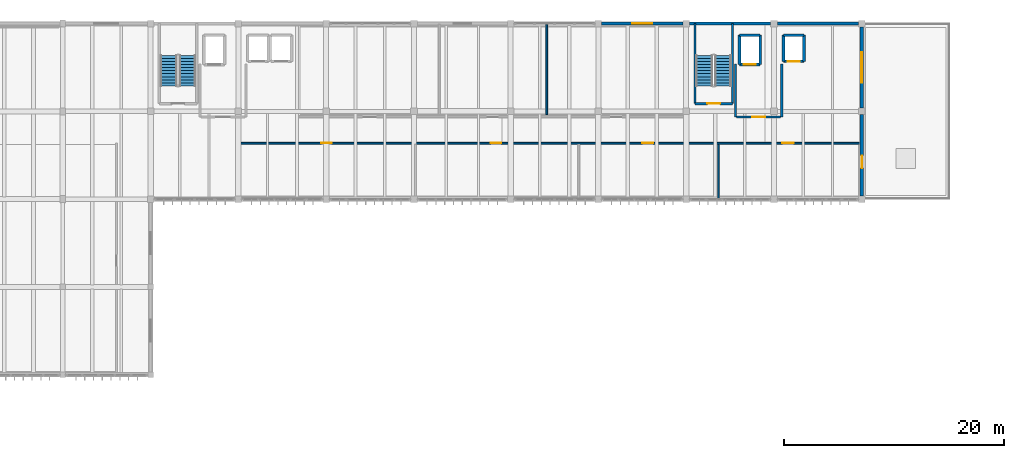
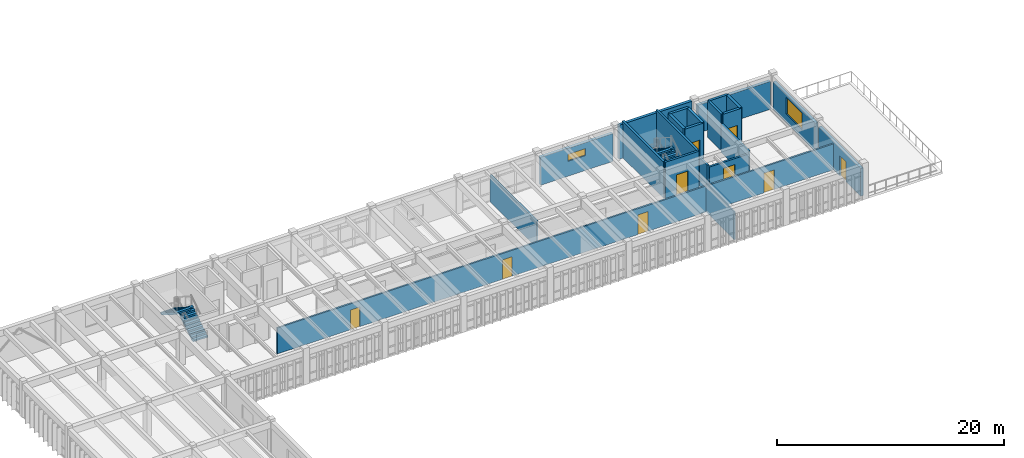
# One storey, part 17 of 22: 22 walls, 9 doors, 4 stair flights, 2 windows, 11 openings, 2 elements without a shape of their own.
"""IFC4 building model written with IfcOpenShell, lengths in metres."""

from ifc_helpers import new_model, si_unit, direction, frame, frame_2d, origin, place, context, subcontext, project, spatial, polyline, rectangle, outline, extrude, material, layer, layer_set, type_object, element, fill, aggregate, save


model = new_model("IFC4")

# Units and contexts
model_context = context("Model", 3, precision=1e-05, world=origin(), true_north=direction((0.0, 1.0)))
body_context = subcontext(model_context, "Body", "Model", "MODEL_VIEW")
ifc_project = project(units=[si_unit("LENGTHUNIT", "METRE"), si_unit("AREAUNIT", "SQUARE_METRE"), si_unit("VOLUMEUNIT", "CUBIC_METRE"), si_unit("PLANEANGLEUNIT", "RADIAN"), si_unit("MASSUNIT", "GRAM", prefix="KILO")], contexts=[model_context])

# Site, building, storey
site_placement = place(None, origin())
site = spatial("IfcSite", under=ifc_project, at=site_placement, CompositionType="ELEMENT")
building_placement = place(site_placement, origin())
building = spatial("IfcBuilding", under=site, at=building_placement, Name="Tlaxcora Railside Police Headquarters", CompositionType="ELEMENT")
storey_placement = place(building_placement, frame((0.0, 0.0, 21.89990234375)))
storey = spatial("IfcBuildingStorey", under=building, at=storey_placement, Name="L05", CompositionType="ELEMENT", Elevation=21.89990234375)

# Wall, opening, door
ifc_material_1 = material(Name="Pressed clay brick masonry", Category="masonry")
ifc_layer_1 = layer(ifc_material_1, 0.199951171875, Name="Pressed clay brick masonry")
ifc_layer_set_1 = layer_set([ifc_layer_1], Name="Pressed clay brick masonry")
wall_type_1 = type_object("IfcWallType", Name="Interior Partition Wall IW-60", PredefinedType="PARTITIONING", material=ifc_layer_set_1)
wall_1_placement = place(storey_placement, frame((74.60009765625, 84.300048828125, 0.0), z_axis=(0.0, 0.0, 1.0), x_axis=(1.0, 0.0, 0.0)))
wall_1 = element("IfcWall", 1, at=wall_1_placement, inside=storey, type_object=wall_type_1, Name="V5 L05 interior partition 224", PredefinedType="PARTITIONING", context=body_context, shape_type="SweptSolid", body=[
    extrude(rectangle(XDim=4.0, YDim=0.199951171875, at=frame_2d((2.0, 0.0))), origin(), (0.0, 0.0, 1.0), 2.78515625),
])
opening_1_placement = place(wall_1_placement, frame((1.39990234375, 0.0, 0.0)))
opening_1 = element("IfcOpeningElement", 2, at=opening_1_placement, cuts=wall_1, Name="Opening D-L05-246", PredefinedType="OPENING", context=body_context, shape_type="SweptSolid", body=[
    extrude(rectangle(XDim=1.199951171875, YDim=2.14990234375, at=frame_2d((0.60009765625, 1.074951171875))), frame((0.0, 0.10986328125, 0.0), z_axis=(0.0, -1.0, 0.0), x_axis=(1.0, 0.0, 0.0)), (0.0, 0.0, 1.0), 0.219970703125),
])
ifc_material_2 = material(Name="Steel ASTM A992 Grade 50", Category="steel")
door_type_1 = type_object("IfcDoorType", Name="Swing or Sliding Personnel Door ID-14", OperationType="NOTDEFINED", PredefinedType="DOOR", material=ifc_material_2)
door_1_placement = place(opening_1_placement, origin())
door_1 = element("IfcDoor", 3, at=door_1_placement, inside=storey, type_object=door_type_1, Name="V5 L05 door D-L05-246", OperationType="DOUBLE_DOOR_SINGLE_SWING", OverallHeight=2.14990234375, OverallWidth=1.199951171875, PredefinedType="DOOR", context=body_context, shape_type="SweptSolid", body=[
    extrude(rectangle(XDim=1.199951171875, YDim=2.14990234375, at=frame_2d((0.60009765625, 1.074951171875))), frame((0.0, 0.02490234375, 0.0), z_axis=(0.0, -1.0, 0.0), x_axis=(1.0, 0.0, 0.0)), (0.0, 0.0, 1.0), 0.050048828125),
])
fill(opening_1, door_1)

# Walls
wall_2_placement = place(storey_placement, frame((74.5, 84.300048828125, 0.0), z_axis=(0.0, 0.0, 1.0), x_axis=(0.0, 1.0, 0.0)))
element("IfcWall", 4, at=wall_2_placement, inside=storey, type_object=wall_type_1, Name="V5 L05 interior partition 225", PredefinedType="PARTITIONING", context=body_context, shape_type="SweptSolid", body=[
    extrude(rectangle(XDim=4.800048828125, YDim=0.199951171875, at=frame_2d((2.39990234375, 0.0))), origin(), (0.0, 0.0, 1.0), 2.985107421875),
])
wall_3_placement = place(storey_placement, frame((78.699951171875, 84.300048828125, 0.0), z_axis=(0.0, 0.0, 1.0), x_axis=(0.0, 1.0, 0.0)))
element("IfcWall", 5, at=wall_3_placement, inside=storey, type_object=wall_type_1, Name="V5 L05 interior partition 226", PredefinedType="PARTITIONING", context=body_context, shape_type="SweptSolid", body=[
    extrude(rectangle(XDim=4.800048828125, YDim=0.199951171875, at=frame_2d((2.39990234375, 0.0))), origin(), (0.0, 0.0, 1.0), 3.03515625),
])

# Wall, openings, doors
ifc_material_3 = material(Name="Gypsum acoustic partition board")
ifc_layer_2 = layer(ifc_material_3, 0.159912109375, Name="Gypsum acoustic partition board")
ifc_layer_set_2 = layer_set([ifc_layer_2], Name="Gypsum acoustic partition board")
wall_type_2 = type_object("IfcWallType", Name="Interior Partition Wall IW-73", PredefinedType="PARTITIONING", material=ifc_layer_set_2)
wall_4_placement = place(storey_placement, frame((29.300048828125, 81.89990234375, 0.0), z_axis=(0.0, 0.0, 1.0), x_axis=(1.0, 0.0, 0.0)))
wall_4 = element("IfcWall", 6, at=wall_4_placement, inside=storey, type_object=wall_type_2, Name="V5 L05 interior partition 230", PredefinedType="PARTITIONING", context=body_context, shape_type="SweptSolid", body=[
    extrude(rectangle(XDim=56.619873046875, YDim=0.159912109375, at=frame_2d((28.31005859375, 0.0))), origin(), (0.0, 0.0, 1.0), 2.78515625),
])
opening_2_placement = place(wall_4_placement, frame((7.429931640625, 0.0, 0.0)))
opening_2 = element("IfcOpeningElement", 7, at=opening_2_placement, cuts=wall_4, Name="Opening D-L05-247", PredefinedType="OPENING", context=body_context, shape_type="SweptSolid", body=[
    extrude(rectangle(XDim=0.97998046875, YDim=2.1201171875, at=frame_2d((0.489990234375, 1.06005859375))), frame((0.0, 0.08984375, 0.0), z_axis=(0.0, -1.0, 0.0), x_axis=(1.0, 0.0, 0.0)), (0.0, 0.0, 1.0), 0.179931640625),
])
opening_3_placement = place(wall_4_placement, frame((22.8701171875, 0.0, 0.0)))
opening_3 = element("IfcOpeningElement", 8, at=opening_3_placement, cuts=wall_4, Name="Opening D-L05-248", PredefinedType="OPENING", context=body_context, shape_type="SweptSolid", body=[
    extrude(rectangle(XDim=1.0, YDim=2.10009765625, at=frame_2d((0.5, 1.050048828125))), frame((0.0, 0.08984375, 0.0), z_axis=(0.0, -1.0, 0.0), x_axis=(1.0, 0.0, 0.0)), (0.0, 0.0, 1.0), 0.179931640625),
])
opening_4_placement = place(wall_4_placement, frame((36.679931640625, 0.0, 0.0)))
opening_4 = element("IfcOpeningElement", 9, at=opening_4_placement, cuts=wall_4, Name="Opening D-L05-249", PredefinedType="OPENING", context=body_context, shape_type="SweptSolid", body=[
    extrude(rectangle(XDim=1.02001953125, YDim=2.1201171875, at=frame_2d((0.510009765625, 1.06005859375))), frame((0.0, 0.08984375, 0.0), z_axis=(0.0, -1.0, 0.0), x_axis=(1.0, 0.0, 0.0)), (0.0, 0.0, 1.0), 0.179931640625),
])
opening_5_placement = place(wall_4_placement, frame((49.469970703125, 0.0, 0.0)))
opening_5 = element("IfcOpeningElement", 10, at=opening_5_placement, cuts=wall_4, Name="Opening D-L05-250", PredefinedType="OPENING", context=body_context, shape_type="SweptSolid", body=[
    extrude(rectangle(XDim=1.050048828125, YDim=2.10009765625, at=frame_2d((0.52490234375, 1.050048828125))), frame((0.0, 0.08984375, 0.0), z_axis=(0.0, -1.0, 0.0), x_axis=(1.0, 0.0, 0.0)), (0.0, 0.0, 1.0), 0.179931640625),
])
door_type_2 = type_object("IfcDoorType", Name="Swing or Sliding Personnel Door ID-48", OperationType="NOTDEFINED", PredefinedType="DOOR", material=ifc_material_2)
door_2_placement = place(opening_4_placement, origin())
door_2 = element("IfcDoor", 11, at=door_2_placement, inside=storey, type_object=door_type_2, Name="V5 L05 door D-L05-249", OperationType="SINGLE_SWING_RIGHT", OverallHeight=2.1201171875, OverallWidth=1.02001953125, PredefinedType="DOOR", context=body_context, shape_type="SweptSolid", body=[
    extrude(rectangle(XDim=1.02001953125, YDim=2.1201171875, at=frame_2d((0.510009765625, 1.06005859375))), frame((0.0, 0.02490234375, 0.0), z_axis=(0.0, -1.0, 0.0), x_axis=(1.0, 0.0, 0.0)), (0.0, 0.0, 1.0), 0.050048828125),
])
fill(opening_4, door_2)
door_type_3 = type_object("IfcDoorType", Name="Swing or Sliding Personnel Door ID-52", OperationType="NOTDEFINED", PredefinedType="DOOR", material=ifc_material_2)
door_3_placement = place(opening_5_placement, origin())
door_3 = element("IfcDoor", 12, at=door_3_placement, inside=storey, type_object=door_type_3, Name="V5 L05 door D-L05-250", OperationType="SINGLE_SWING_LEFT", OverallHeight=2.10009765625, OverallWidth=1.050048828125, PredefinedType="DOOR", context=body_context, shape_type="SweptSolid", body=[
    extrude(rectangle(XDim=1.050048828125, YDim=2.10009765625, at=frame_2d((0.52490234375, 1.050048828125))), frame((0.0, 0.02490234375, 0.0), z_axis=(0.0, -1.0, 0.0), x_axis=(1.0, 0.0, 0.0)), (0.0, 0.0, 1.0), 0.050048828125),
])
fill(opening_5, door_3)
door_type_4 = type_object("IfcDoorType", Name="Swing or Sliding Personnel Door ID-74", OperationType="NOTDEFINED", PredefinedType="DOOR", material=ifc_material_2)
door_4_placement = place(opening_2_placement, origin())
door_4 = element("IfcDoor", 13, at=door_4_placement, inside=storey, type_object=door_type_4, Name="V5 L05 door D-L05-247", OperationType="SINGLE_SWING_RIGHT", OverallHeight=2.1201171875, OverallWidth=0.97998046875, PredefinedType="DOOR", context=body_context, shape_type="SweptSolid", body=[
    extrude(rectangle(XDim=0.97998046875, YDim=2.1201171875, at=frame_2d((0.489990234375, 1.06005859375))), frame((0.0, 0.02490234375, 0.0), z_axis=(0.0, -1.0, 0.0), x_axis=(1.0, 0.0, 0.0)), (0.0, 0.0, 1.0), 0.050048828125),
])
fill(opening_2, door_4)
door_type_5 = type_object("IfcDoorType", Name="Swing or Sliding Personnel Door ID-89", OperationType="NOTDEFINED", PredefinedType="DOOR", material=ifc_material_2)
door_5_placement = place(opening_3_placement, origin())
door_5 = element("IfcDoor", 14, at=door_5_placement, inside=storey, type_object=door_type_5, Name="V5 L05 door D-L05-248", OperationType="SINGLE_SWING_LEFT", OverallHeight=2.10009765625, OverallWidth=1.0, PredefinedType="DOOR", context=body_context, shape_type="SweptSolid", body=[
    extrude(rectangle(XDim=1.0, YDim=2.10009765625, at=frame_2d((0.5, 1.050048828125))), frame((0.0, 0.02490234375, 0.0), z_axis=(0.0, -1.0, 0.0), x_axis=(1.0, 0.0, 0.0)), (0.0, 0.0, 1.0), 0.050048828125),
])
fill(opening_3, door_5)

# Walls
wall_5_placement = place(storey_placement, frame((57.2890625, 84.5, 0.0), z_axis=(0.0, 0.0, 1.0), x_axis=(0.0, 1.0, 0.0)))
element("IfcWall", 15, at=wall_5_placement, inside=storey, type_object=wall_type_2, Name="V5 L05 interior partition 232", PredefinedType="PARTITIONING", context=body_context, shape_type="SweptSolid", body=[
    extrude(rectangle(XDim=8.219970703125, YDim=0.159912109375, at=frame_2d((4.10986328125, 0.0))), origin(), (0.0, 0.0, 1.0), 2.885009765625),
])
ifc_layer_3 = layer(ifc_material_3, 0.139892578125, Name="Gypsum acoustic partition board")
ifc_layer_set_3 = layer_set([ifc_layer_3], Name="Gypsum acoustic partition board")
wall_type_3 = type_object("IfcWallType", Name="Interior Partition Wall IW-86", PredefinedType="PARTITIONING", material=ifc_layer_set_3)
wall_6_placement = place(storey_placement, frame((72.952880859375, 76.8798828125, 0.0), z_axis=(0.0, 0.0, 1.0), x_axis=(0.0, 1.0, 0.0)))
element("IfcWall", 16, at=wall_6_placement, inside=storey, type_object=wall_type_3, Name="V5 L05 interior partition 229", PredefinedType="PARTITIONING", context=body_context, shape_type="SweptSolid", body=[
    extrude(rectangle(XDim=4.920166015625, YDim=0.139892578125, at=frame_2d((2.4599609375, 0.0))), origin(), (0.0, 0.0, 1.0), 2.985107421875),
])

# Wall, opening, door
ifc_material_4 = material(Name="Concrete C40/50", Category="concrete")
ifc_layer_4 = layer(ifc_material_4, 0.25, Name="Concrete C40/50")
ifc_layer_set_4 = layer_set([ifc_layer_4], Name="Concrete C40/50")
wall_type_4 = type_object("IfcWallType", Name="Shear Core Wall IW-13", PredefinedType="SHEAR", material=ifc_layer_set_4)
wall_7_placement = place(storey_placement, frame((74.860107421875, 89.06005859375, 0.0), z_axis=(0.0, 0.0, 1.0), x_axis=(1.0, 0.0, 0.0)))
wall_7 = element("IfcWall", 17, at=wall_7_placement, inside=storey, type_object=wall_type_4, Name="Lift FFL-02 L05 shaft wall S", PredefinedType="SHEAR", context=body_context, shape_type="SweptSolid", body=[
    extrude(rectangle(XDim=1.8798828125, YDim=0.25, at=frame_2d((0.93994140625, 0.0))), origin(), (0.0, 0.0, 1.0), 3.900146484375),
])
opening_6_placement = place(wall_7_placement, frame((0.389892578125, 0.0, 0.0)))
opening_6 = element("IfcOpeningElement", 18, at=opening_6_placement, cuts=wall_7, Name="Opening LD-FFL-02-L05", PredefinedType="OPENING", context=body_context, shape_type="SweptSolid", body=[
    extrude(rectangle(XDim=1.10009765625, YDim=2.199951171875, at=frame_2d((0.550048828125, 1.10009765625))), frame((0.0, 0.135009765625, 0.0), z_axis=(0.0, -1.0, 0.0), x_axis=(1.0, 0.0, 0.0)), (0.0, 0.0, 1.0), 0.27001953125),
])
door_type_6 = type_object("IfcDoorType", Name="Swing or Sliding Personnel Door ID-15", OperationType="NOTDEFINED", PredefinedType="DOOR", material=ifc_material_2)
door_6_placement = place(opening_6_placement, origin())
door_6 = element("IfcDoor", 19, at=door_6_placement, inside=storey, type_object=door_type_6, Name="Lift FFL-02 L05 sliding landing door", OperationType="DOUBLE_DOOR_SLIDING", OverallHeight=2.199951171875, OverallWidth=1.10009765625, PredefinedType="DOOR", context=body_context, shape_type="SweptSolid", body=[
    extrude(rectangle(XDim=1.10009765625, YDim=2.199951171875, at=frame_2d((0.550048828125, 1.10009765625))), frame((0.0, 0.02490234375, 0.0), z_axis=(0.0, -1.0, 0.0), x_axis=(1.0, 0.0, 0.0)), (0.0, 0.0, 1.0), 0.050048828125),
])
fill(opening_6, door_6)

# Walls
wall_8_placement = place(storey_placement, frame((76.739990234375, 89.06005859375, 0.0), z_axis=(0.0, 0.0, 1.0), x_axis=(0.0, 1.0, 0.0)))
element("IfcWall", 20, at=wall_8_placement, inside=storey, type_object=wall_type_4, Name="Lift FFL-02 L05 shaft wall E", PredefinedType="SHEAR", context=body_context, shape_type="SweptSolid", body=[
    extrude(rectangle(XDim=2.679931640625, YDim=0.25, at=frame_2d((1.33984375, 0.0))), origin(), (0.0, 0.0, 1.0), 3.900146484375),
])
wall_9_placement = place(storey_placement, frame((76.739990234375, 91.739990234375, 0.0), z_axis=(0.0, 0.0, 1.0), x_axis=(-1.0, 0.0, 0.0)))
element("IfcWall", 21, at=wall_9_placement, inside=storey, type_object=wall_type_4, Name="Lift FFL-02 L05 shaft wall N", PredefinedType="SHEAR", context=body_context, shape_type="SweptSolid", body=[
    extrude(rectangle(XDim=1.8798828125, YDim=0.25, at=frame_2d((0.93994140625, 0.0))), origin(), (0.0, 0.0, 1.0), 3.900146484375),
])
wall_10_placement = place(storey_placement, frame((74.860107421875, 91.739990234375, 0.0), z_axis=(0.0, 0.0, 1.0), x_axis=(0.0, -1.0, 0.0)))
element("IfcWall", 22, at=wall_10_placement, inside=storey, type_object=wall_type_4, Name="Lift FFL-02 L05 shaft wall W", PredefinedType="SHEAR", context=body_context, shape_type="SweptSolid", body=[
    extrude(rectangle(XDim=2.679931640625, YDim=0.25, at=frame_2d((1.33984375, 0.0))), origin(), (0.0, 0.0, 1.0), 3.900146484375),
])

# Wall, opening, door
wall_11_placement = place(storey_placement, frame((78.860107421875, 89.360107421875, 0.0), z_axis=(0.0, 0.0, 1.0), x_axis=(1.0, 0.0, 0.0)))
wall_11 = element("IfcWall", 23, at=wall_11_placement, inside=storey, type_object=wall_type_4, Name="Lift PL-03 L05 shaft wall S", PredefinedType="SHEAR", context=body_context, shape_type="SweptSolid", body=[
    extrude(rectangle(XDim=1.8798828125, YDim=0.25, at=frame_2d((0.93994140625, 0.0))), origin(), (0.0, 0.0, 1.0), 3.900146484375),
])
opening_7_placement = place(wall_11_placement, frame((0.389892578125, 0.0, 0.0)))
opening_7 = element("IfcOpeningElement", 24, at=opening_7_placement, cuts=wall_11, Name="Opening LD-PL-03-L05", PredefinedType="OPENING", context=body_context, shape_type="SweptSolid", body=[
    extrude(rectangle(XDim=1.10009765625, YDim=2.199951171875, at=frame_2d((0.550048828125, 1.10009765625))), frame((0.0, 0.135009765625, 0.0), z_axis=(0.0, -1.0, 0.0), x_axis=(1.0, 0.0, 0.0)), (0.0, 0.0, 1.0), 0.27001953125),
])
door_7_placement = place(opening_7_placement, origin())
door_7 = element("IfcDoor", 25, at=door_7_placement, inside=storey, type_object=door_type_6, Name="Lift PL-03 L05 sliding landing door", OperationType="DOUBLE_DOOR_SLIDING", OverallHeight=2.199951171875, OverallWidth=1.10009765625, PredefinedType="DOOR", context=body_context, shape_type="SweptSolid", body=[
    extrude(rectangle(XDim=1.10009765625, YDim=2.199951171875, at=frame_2d((0.550048828125, 1.10009765625))), frame((0.0, 0.02490234375, 0.0), z_axis=(0.0, -1.0, 0.0), x_axis=(1.0, 0.0, 0.0)), (0.0, 0.0, 1.0), 0.050048828125),
])
fill(opening_7, door_7)

# Walls
wall_12_placement = place(storey_placement, frame((80.739990234375, 89.360107421875, 0.0), z_axis=(0.0, 0.0, 1.0), x_axis=(0.0, 1.0, 0.0)))
element("IfcWall", 26, at=wall_12_placement, inside=storey, type_object=wall_type_4, Name="Lift PL-03 L05 shaft wall E", PredefinedType="SHEAR", context=body_context, shape_type="SweptSolid", body=[
    extrude(rectangle(XDim=2.3798828125, YDim=0.25, at=frame_2d((1.18994140625, 0.0))), origin(), (0.0, 0.0, 1.0), 3.900146484375),
])
wall_13_placement = place(storey_placement, frame((80.739990234375, 91.739990234375, 0.0), z_axis=(0.0, 0.0, 1.0), x_axis=(-1.0, 0.0, 0.0)))
element("IfcWall", 27, at=wall_13_placement, inside=storey, type_object=wall_type_4, Name="Lift PL-03 L05 shaft wall N", PredefinedType="SHEAR", context=body_context, shape_type="SweptSolid", body=[
    extrude(rectangle(XDim=1.8798828125, YDim=0.25, at=frame_2d((0.93994140625, 0.0))), origin(), (0.0, 0.0, 1.0), 3.900146484375),
])
wall_14_placement = place(storey_placement, frame((78.860107421875, 91.739990234375, 0.0), z_axis=(0.0, 0.0, 1.0), x_axis=(0.0, -1.0, 0.0)))
element("IfcWall", 28, at=wall_14_placement, inside=storey, type_object=wall_type_4, Name="Lift PL-03 L05 shaft wall W", PredefinedType="SHEAR", context=body_context, shape_type="SweptSolid", body=[
    extrude(rectangle(XDim=2.3798828125, YDim=0.25, at=frame_2d((1.18994140625, 0.0))), origin(), (0.0, 0.0, 1.0), 3.900146484375),
])

# Wall, opening, door
ifc_layer_5 = layer(ifc_material_4, 0.219970703125, Name="Concrete C40/50")
ifc_layer_set_5 = layer_set([ifc_layer_5], Name="Concrete C40/50")
wall_type_5 = type_object("IfcWallType", Name="Shear Core Wall IW-35", PredefinedType="SHEAR", material=ifc_layer_set_5)
wall_15_placement = place(storey_placement, frame((70.800048828125, 85.5, 0.0), z_axis=(0.0, 0.0, 1.0), x_axis=(1.0, 0.0, 0.0)))
wall_15 = element("IfcWall", 29, at=wall_15_placement, inside=storey, type_object=wall_type_5, Name="CORE-C2 L05 stair core wall S", PredefinedType="SHEAR", context=body_context, shape_type="SweptSolid", body=[
    extrude(rectangle(XDim=3.419921875, YDim=0.219970703125, at=frame_2d((1.7099609375, 0.0))), origin(), (0.0, 0.0, 1.0), 3.900146484375),
])
opening_8_placement = place(wall_15_placement, frame((1.135009765625, 0.0, 0.0)))
opening_8 = element("IfcOpeningElement", 30, at=opening_8_placement, cuts=wall_15, Name="Opening SD-L05-016", PredefinedType="OPENING", context=body_context, shape_type="SweptSolid", body=[
    extrude(rectangle(XDim=1.14990234375, YDim=2.14990234375, at=frame_2d((0.574951171875, 1.074951171875))), frame((0.0, 0.1201171875, 0.0), z_axis=(0.0, -1.0, 0.0), x_axis=(1.0, 0.0, 0.0)), (0.0, 0.0, 1.0), 0.239990234375),
])
door_type_7 = type_object("IfcDoorType", Name="Swing or Sliding Personnel Door ID-73", OperationType="NOTDEFINED", PredefinedType="DOOR", material=ifc_material_2)
door_8_placement = place(opening_8_placement, origin())
door_8 = element("IfcDoor", 31, at=door_8_placement, inside=storey, type_object=door_type_7, Name="Stair ST2 L05 enclosure fire door", OperationType="SINGLE_SWING_RIGHT", OverallHeight=2.14990234375, OverallWidth=1.14990234375, PredefinedType="DOOR", context=body_context, shape_type="SweptSolid", body=[
    extrude(rectangle(XDim=1.14990234375, YDim=2.14990234375, at=frame_2d((0.574951171875, 1.074951171875))), frame((0.0, 0.02490234375, 0.0), z_axis=(0.0, -1.0, 0.0), x_axis=(1.0, 0.0, 0.0)), (0.0, 0.0, 1.0), 0.050048828125),
])
fill(opening_8, door_8)

# Walls
for number, where, z_axis, x_axis, name in (
    (32, (74.219970703125, 85.5, 0.0), (0.0, 0.0, 1.0), (0.0, 1.0, 0.0), "CORE-C2 L05 stair core wall E"),
    (33, (70.800048828125, 92.800048828125, 0.0), (0.0, 0.0, 1.0), (0.0, -1.0, 0.0), "CORE-C2 L05 stair core wall W"),
):
    element("IfcWall", number, at=place(storey_placement, frame(where, z_axis=z_axis, x_axis=x_axis)), inside=storey, type_object=wall_type_5, Name=name, PredefinedType="SHEAR", context=body_context, shape_type="SweptSolid", body=[
        extrude(rectangle(XDim=7.300048828125, YDim=0.219970703125, at=frame_2d((3.64990234375, 0.0))), origin(), (0.0, 0.0, 1.0), 3.900146484375),
    ])

# Wall, opening, door
ifc_layer_6 = layer(ifc_material_1, 0.294921875, Name="Pressed clay brick masonry")
ifc_layer_set_6 = layer_set([ifc_layer_6], Name="Pressed clay brick masonry")
wall_type_6 = type_object("IfcWallType", Name="Structural Bearing Wall EW-74", PredefinedType="SOLIDWALL", material=ifc_layer_set_6)
wall_16_placement = place(storey_placement, frame((86.0, 77.10009765625, 0.0), z_axis=(0.0, 0.0, 1.0), x_axis=(0.0, 1.0, 0.0)))
wall_16 = element("IfcWall", 34, at=wall_16_placement, inside=storey, type_object=wall_type_6, Name="V5 L05 exterior wall 3.0", PredefinedType="SOLIDWALL", context=body_context, shape_type="SweptSolid", body=[
    extrude(rectangle(XDim=7.39990234375, YDim=0.294921875, at=frame_2d((3.699951171875, 0.0))), origin(), (0.0, 0.0, 1.0), 3.0),
])
opening_9_placement = place(wall_16_placement, frame((2.52490234375, 0.0, 0.0)))
opening_9 = element("IfcOpeningElement", 35, at=opening_9_placement, cuts=wall_16, Name="Opening TD-06", PredefinedType="OPENING", context=body_context, shape_type="SweptSolid", body=[
    extrude(rectangle(XDim=1.14990234375, YDim=2.14990234375, at=frame_2d((0.574951171875, 1.074951171875))), frame((0.0, 0.157470703125, 0.0), z_axis=(0.0, -1.0, 0.0), x_axis=(1.0, 0.0, 0.0)), (0.0, 0.0, 1.0), 0.31494140625),
])
ifc_material_5 = material(Name="Anodised aluminium framing", Category="aluminium")
door_type_8 = type_object("IfcDoorType", Name="Swing or Sliding Personnel Door ED-58", OperationType="NOTDEFINED", PredefinedType="DOOR", material=ifc_material_5)
door_9_placement = place(opening_9_placement, frame((1.14990234375, 0.0, 0.0), z_axis=(0.0, 0.0, 1.0), x_axis=(-1.0, 0.0, 0.0)))
door_9 = element("IfcDoor", 36, at=door_9_placement, inside=storey, type_object=door_type_8, Name="V5 L05 planted terrace access door", OperationType="SINGLE_SWING_RIGHT", OverallHeight=2.14990234375, OverallWidth=1.14990234375, PredefinedType="DOOR", context=body_context, shape_type="SweptSolid", body=[
    extrude(rectangle(XDim=1.14990234375, YDim=2.14990234375, at=frame_2d((0.574951171875, 1.074951171875))), frame((0.0, 0.02490234375, 0.0), z_axis=(0.0, -1.0, 0.0), x_axis=(1.0, 0.0, 0.0)), (0.0, 0.0, 1.0), 0.050048828125),
])
fill(opening_9, door_9)

# Wall, opening, window
wall_17_placement = place(storey_placement, frame((86.0, 85.10009765625, 0.0), z_axis=(0.0, 0.0, 1.0), x_axis=(0.0, 1.0, 0.0)))
wall_17 = element("IfcWall", 37, at=wall_17_placement, inside=storey, type_object=wall_type_6, Name="V5 L05 exterior wall 3.1", PredefinedType="SOLIDWALL", context=body_context, shape_type="SweptSolid", body=[
    extrude(rectangle(XDim=7.39990234375, YDim=0.294921875, at=frame_2d((3.699951171875, 0.0))), origin(), (0.0, 0.0, 1.0), 3.0),
])
opening_10_placement = place(wall_17_placement, frame((2.300048828125, 0.0, 0.89990234375)))
opening_10 = element("IfcOpeningElement", 38, at=opening_10_placement, cuts=wall_17, Name="Opening WN-44", PredefinedType="OPENING", context=body_context, shape_type="SweptSolid", body=[
    extrude(rectangle(XDim=2.800048828125, YDim=1.800048828125, at=frame_2d((1.39990234375, 0.89990234375))), frame((0.0, 0.157470703125, 0.0), z_axis=(0.0, -1.0, 0.0), x_axis=(1.0, 0.0, 0.0)), (0.0, 0.0, 1.0), 0.31494140625),
])
ifc_material_6 = material(Name="Thermally broken low-E insulated glazing", Category="glass")
window_type_1 = type_object("IfcWindowType", Name="Exterior Framed or Circular Window WN-44", PartitioningType="SINGLE_PANEL", PredefinedType="WINDOW", material=ifc_material_6)
window_1_placement = place(opening_10_placement, origin())
window_1 = element("IfcWindow", 39, at=window_1_placement, inside=storey, type_object=window_type_1, Name="V5 L05 window 145", OverallHeight=1.800048828125, OverallWidth=2.800048828125, PartitioningType="SINGLE_PANEL", PredefinedType="WINDOW", context=body_context, shape_type="SweptSolid", body=[
    extrude(rectangle(XDim=2.800048828125, YDim=1.800048828125, at=frame_2d((1.39990234375, 0.89990234375))), frame((0.0, 0.030029296875, 0.0), z_axis=(0.0, -1.0, 0.0), x_axis=(1.0, 0.0, 0.0)), (0.0, 0.0, 1.0), 0.06005859375),
])
fill(opening_10, window_1)

# Walls
wall_18_placement = place(storey_placement, frame((85.699951171875, 92.800048828125, 0.0), z_axis=(0.0, 0.0, 1.0), x_axis=(-1.0, 0.0, 0.0)))
element("IfcWall", 40, at=wall_18_placement, inside=storey, type_object=wall_type_6, Name="V5 L05 exterior wall 4.0", PredefinedType="SOLIDWALL", context=body_context, shape_type="SweptSolid", body=[
    extrude(rectangle(XDim=7.39990234375, YDim=0.294921875, at=frame_2d((3.699951171875, 0.0))), origin(), (0.0, 0.0, 1.0), 3.0),
])
wall_19_placement = place(storey_placement, frame((77.699951171875, 92.800048828125, 0.0), z_axis=(0.0, 0.0, 1.0), x_axis=(-1.0, 0.0, 0.0)))
element("IfcWall", 41, at=wall_19_placement, inside=storey, type_object=wall_type_6, Name="V5 L05 exterior wall 4.1", PredefinedType="SOLIDWALL", context=body_context, shape_type="SweptSolid", body=[
    extrude(rectangle(XDim=7.39990234375, YDim=0.294921875, at=frame_2d((3.699951171875, 0.0))), origin(), (0.0, 0.0, 1.0), 3.650146484375),
])

# Wall, opening, window
wall_20_placement = place(storey_placement, frame((69.699951171875, 92.800048828125, 0.0), z_axis=(0.0, 0.0, 1.0), x_axis=(-1.0, 0.0, 0.0)))
wall_20 = element("IfcWall", 42, at=wall_20_placement, inside=storey, type_object=wall_type_6, Name="V5 L05 exterior wall 4.2", PredefinedType="SOLIDWALL", context=body_context, shape_type="SweptSolid", body=[
    extrude(rectangle(XDim=7.39990234375, YDim=0.294921875, at=frame_2d((3.699951171875, 0.0))), origin(), (0.0, 0.0, 1.0), 3.0),
])
opening_11_placement = place(wall_20_placement, frame((2.800048828125, 0.0, 1.60009765625)))
opening_11 = element("IfcOpeningElement", 43, at=opening_11_placement, cuts=wall_20, Name="Opening WN-40", PredefinedType="OPENING", context=body_context, shape_type="SweptSolid", body=[
    extrude(rectangle(XDim=1.800048828125, YDim=0.75, at=frame_2d((0.89990234375, 0.375))), frame((0.0, 0.157470703125, 0.0), z_axis=(0.0, -1.0, 0.0), x_axis=(1.0, 0.0, 0.0)), (0.0, 0.0, 1.0), 0.31494140625),
])
window_type_2 = type_object("IfcWindowType", Name="Exterior Framed or Circular Window WN-40", PartitioningType="SINGLE_PANEL", PredefinedType="WINDOW", material=ifc_material_6)
window_2_placement = place(opening_11_placement, origin())
window_2 = element("IfcWindow", 44, at=window_2_placement, inside=storey, type_object=window_type_2, Name="V5 L05 window 146", OverallHeight=0.75, OverallWidth=1.800048828125, PartitioningType="SINGLE_PANEL", PredefinedType="WINDOW", context=body_context, shape_type="SweptSolid", body=[
    extrude(rectangle(XDim=1.800048828125, YDim=0.75, at=frame_2d((0.89990234375, 0.375))), frame((0.0, 0.030029296875, 0.0), z_axis=(0.0, -1.0, 0.0), x_axis=(1.0, 0.0, 0.0)), (0.0, 0.0, 1.0), 0.06005859375),
])
fill(opening_11, window_2)

# Stair, stair flights
stair_type = type_object("IfcStairType", Name="Half-Turn Dog-Leg Stair ST-30", PredefinedType="HALF_TURN_STAIR", material=ifc_material_4)
stair_1_placement = place(storey_placement, origin())
stair_1 = element("IfcStair", 45, at=stair_1_placement, inside=storey, type_object=stair_type, Name="L05 ST1", PredefinedType="HALF_TURN_STAIR")
stair_flight_type = type_object("IfcStairFlightType", Name="Straight Stair Flight SF-59", PredefinedType="STRAIGHT", material=ifc_material_4)
stair_flight_1_placement = place(storey_placement, frame((24.56005859375, 87.110107421875, 0.0), z_axis=(0.0, 0.0, 1.0), x_axis=(0.0, 1.0, 0.0)))
stair_flight_1 = element("IfcStairFlight", 46, at=stair_flight_1_placement, type_object=stair_flight_type, Name="ST1 flight 1", NumberOfRisers=11, NumberOfTreads=10, PredefinedType="STRAIGHT", RiserHeight=0.177272727, TreadLength=0.28, context=body_context, shape_type="SweptSolid", body=[
    extrude(outline(polyline([(0.0, 0.0), (0.0, 0.17724609375), (0.280029296875, 0.17724609375), (0.280029296875, 0.3544921875), (0.56005859375, 0.3544921875), (0.56005859375, 0.53173828125), (0.840087890625, 0.53173828125), (0.840087890625, 0.708984375), (1.1201171875, 0.708984375), (1.1201171875, 0.886474609375), (1.39990234375, 0.886474609375), (1.39990234375, 1.063720703125), (1.679931640625, 1.063720703125), (1.679931640625, 1.240966796875), (1.9599609375, 1.240966796875), (1.9599609375, 1.418212890625), (2.239990234375, 1.418212890625), (2.239990234375, 1.595458984375), (2.52001953125, 1.595458984375), (2.52001953125, 1.772705078125), (2.800048828125, 1.772705078125), (2.800048828125, 1.949951171875), (2.800048828125, 1.59521484375), (0.2802734375, 0.0), (0.0, 0.0)])), frame((0.0, 0.75, 0.0), z_axis=(0.0, -1.0, 0.0), x_axis=(1.0, 0.0, 0.0)), (0.0, 0.0, 1.0), 1.5),
])
stair_flight_2_placement = place(storey_placement, frame((22.860107421875, 89.909912109375, 1.9501953125), z_axis=(0.0, 0.0, 1.0), x_axis=(0.0, -1.0, 0.0)))
stair_flight_2 = element("IfcStairFlight", 47, at=stair_flight_2_placement, type_object=stair_flight_type, Name="ST1 flight 2", NumberOfRisers=11, NumberOfTreads=10, PredefinedType="STRAIGHT", RiserHeight=0.177272727, TreadLength=0.28, context=body_context, shape_type="SweptSolid", body=[
    extrude(outline(polyline([(0.0, 0.0), (0.0, 0.17724609375), (0.280029296875, 0.17724609375), (0.280029296875, 0.3544921875), (0.56005859375, 0.3544921875), (0.56005859375, 0.53173828125), (0.840087890625, 0.53173828125), (0.840087890625, 0.708984375), (1.1201171875, 0.708984375), (1.1201171875, 0.886474609375), (1.39990234375, 0.886474609375), (1.39990234375, 1.063720703125), (1.679931640625, 1.063720703125), (1.679931640625, 1.240966796875), (1.9599609375, 1.240966796875), (1.9599609375, 1.418212890625), (2.239990234375, 1.418212890625), (2.239990234375, 1.595458984375), (2.52001953125, 1.595458984375), (2.52001953125, 1.772705078125), (2.800048828125, 1.772705078125), (2.800048828125, 1.949951171875), (2.800048828125, 1.59521484375), (0.2802734375, 0.0), (0.0, 0.0)])), frame((0.0, 0.75, 0.0), z_axis=(0.0, -1.0, 0.0), x_axis=(1.0, 0.0, 0.0)), (0.0, 0.0, 1.0), 1.5),
])
aggregate(stair_1, [stair_flight_1, stair_flight_2])

stair_2_placement = place(storey_placement, origin())
stair_2 = element("IfcStair", 48, at=stair_2_placement, inside=storey, type_object=stair_type, Name="L05 ST2", PredefinedType="HALF_TURN_STAIR")
stair_flight_3_placement = place(storey_placement, frame((73.360107421875, 87.110107421875, 0.0), z_axis=(0.0, 0.0, 1.0), x_axis=(0.0, 1.0, 0.0)))
stair_flight_3 = element("IfcStairFlight", 49, at=stair_flight_3_placement, type_object=stair_flight_type, Name="ST2 flight 1", NumberOfRisers=11, NumberOfTreads=10, PredefinedType="STRAIGHT", RiserHeight=0.177272727, TreadLength=0.28, context=body_context, shape_type="SweptSolid", body=[
    extrude(outline(polyline([(0.0, 0.0), (0.0, 0.17724609375), (0.280029296875, 0.17724609375), (0.280029296875, 0.3544921875), (0.56005859375, 0.3544921875), (0.56005859375, 0.53173828125), (0.840087890625, 0.53173828125), (0.840087890625, 0.708984375), (1.1201171875, 0.708984375), (1.1201171875, 0.886474609375), (1.39990234375, 0.886474609375), (1.39990234375, 1.063720703125), (1.679931640625, 1.063720703125), (1.679931640625, 1.240966796875), (1.9599609375, 1.240966796875), (1.9599609375, 1.418212890625), (2.239990234375, 1.418212890625), (2.239990234375, 1.595458984375), (2.52001953125, 1.595458984375), (2.52001953125, 1.772705078125), (2.800048828125, 1.772705078125), (2.800048828125, 1.949951171875), (2.800048828125, 1.59521484375), (0.2802734375, 0.0), (0.0, 0.0)])), frame((0.0, 0.75, 0.0), z_axis=(0.0, -1.0, 0.0), x_axis=(1.0, 0.0, 0.0)), (0.0, 0.0, 1.0), 1.5),
])
stair_flight_4_placement = place(storey_placement, frame((71.659912109375, 89.909912109375, 1.9501953125), z_axis=(0.0, 0.0, 1.0), x_axis=(0.0, -1.0, 0.0)))
stair_flight_4 = element("IfcStairFlight", 50, at=stair_flight_4_placement, type_object=stair_flight_type, Name="ST2 flight 2", NumberOfRisers=11, NumberOfTreads=10, PredefinedType="STRAIGHT", RiserHeight=0.177272727, TreadLength=0.28, context=body_context, shape_type="SweptSolid", body=[
    extrude(outline(polyline([(0.0, 0.0), (0.0, 0.17724609375), (0.280029296875, 0.17724609375), (0.280029296875, 0.3544921875), (0.56005859375, 0.3544921875), (0.56005859375, 0.53173828125), (0.840087890625, 0.53173828125), (0.840087890625, 0.708984375), (1.1201171875, 0.708984375), (1.1201171875, 0.886474609375), (1.39990234375, 0.886474609375), (1.39990234375, 1.063720703125), (1.679931640625, 1.063720703125), (1.679931640625, 1.240966796875), (1.9599609375, 1.240966796875), (1.9599609375, 1.418212890625), (2.239990234375, 1.418212890625), (2.239990234375, 1.595458984375), (2.52001953125, 1.595458984375), (2.52001953125, 1.772705078125), (2.800048828125, 1.772705078125), (2.800048828125, 1.949951171875), (2.800048828125, 1.59521484375), (0.2802734375, 0.0), (0.0, 0.0)])), frame((0.0, 0.75, 0.0), z_axis=(0.0, -1.0, 0.0), x_axis=(1.0, 0.0, 0.0)), (0.0, 0.0, 1.0), 1.5),
])
aggregate(stair_2, [stair_flight_3, stair_flight_4])

save(model, "model.ifc")
